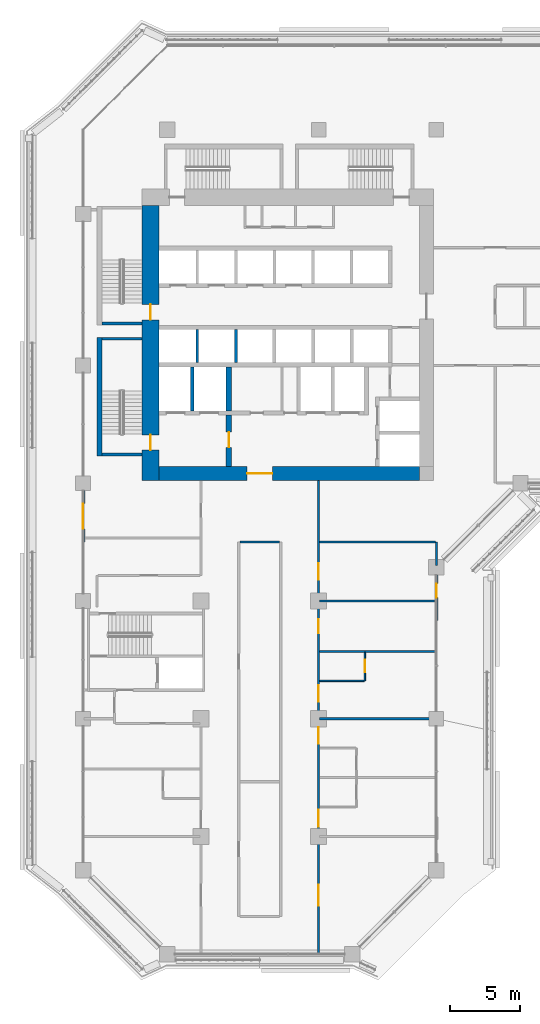
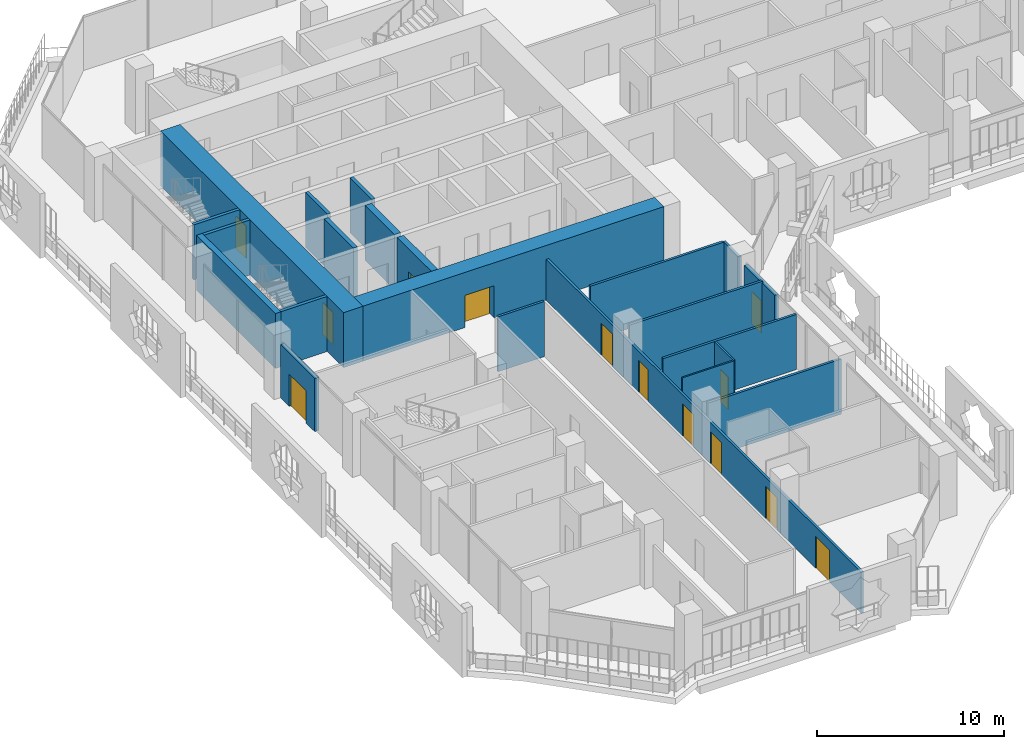
# One storey, part 13 of 25: 22 walls, 13 doors, 13 openings.
"""IFC4 building model written with IfcOpenShell, lengths in metres."""

import ifcopenshell
import ifcopenshell.guid

model = None  # the IFC model being written
_history = None  # IfcOwnerHistory: only IFC2X3 demands one
_inside = {}  # id of a spatial element -> (the spatial element, [elements in it])
_under = {}  # id of a project, library or spatial element -> (it, [spatial elements below it])
_declared = {}  # id of a project -> (the project, [libraries it declares])
_typed = {}  # id of a type object -> (the type object, [elements of that type])
_made_of = {}  # id of a material, layer set ... -> (it, [elements and type objects made of it])


def new_model(schema):
    """Start an empty IFC model of exactly this schema.

    Asked for "IFC4X3", IfcOpenShell would pick the latest addendum, in which some entities
    have other attributes; the version numbers below select the first issue.
    IFC2X3 requires an IfcOwnerHistory on every rooted entity: one is made here for all.
    """
    global model, _history
    if schema == "IFC4X3":
        model = ifcopenshell.file(schema_version=(4, 3, 0, 0))
    else:
        model = ifcopenshell.file(schema=schema)
    _inside.clear()
    _under.clear()
    _declared.clear()
    _typed.clear()
    _made_of.clear()
    _history = None
    if model.schema == "IFC2X3":
        org = make("IfcOrganization", Name="unknown")
        user = make(
            "IfcPersonAndOrganization",
            ThePerson=make("IfcPerson", FamilyName="unknown"),
            TheOrganization=org,
        )
        app = make(
            "IfcApplication",
            ApplicationDeveloper=org,
            Version="unknown",
            ApplicationFullName="unknown",
            ApplicationIdentifier="unknown",
        )
        _history = make(
            "IfcOwnerHistory",
            OwningUser=user,
            OwningApplication=app,
            ChangeAction="ADDED",
            CreationDate=0,
        )
    return model


def make(cls, **values):
    """One entity of the class cls with the attributes given. An attribute that is None is left unset."""
    return model.create_entity(
        cls, **{name: value for name, value in values.items() if value is not None}
    )


def rooted(cls, **values):
    """An entity with a GlobalId (a new one), such as an element, a storey or a relation."""
    return make(cls, GlobalId=ifcopenshell.guid.new(), OwnerHistory=_history, **values)


def si_unit(unit_type, name, prefix=None):
    """IfcSIUnit, for example si_unit("LENGTHUNIT", "METRE", prefix="MILLI")."""
    return make("IfcSIUnit", UnitType=unit_type, Prefix=prefix, Name=name)


def assignment(units):
    """IfcUnitAssignment: the units of a project."""
    return None if units is None else make("IfcUnitAssignment", Units=units)


def point(xyz):
    """IfcCartesianPoint."""
    return None if xyz is None else make("IfcCartesianPoint", Coordinates=xyz)


def direction(xyz):
    """IfcDirection."""
    return None if xyz is None else make("IfcDirection", DirectionRatios=xyz)


def frame(location, z_axis=None, x_axis=None):
    """IfcAxis2Placement3D, a coordinate frame: its origin and axes. An axis left out is left unset."""
    return make(
        "IfcAxis2Placement3D",
        Location=point(location),
        Axis=direction(z_axis),
        RefDirection=direction(x_axis),
    )


def frame_2d(location, x_axis=None):
    """IfcAxis2Placement2D, a coordinate frame in the plane: its origin and x axis."""
    return make(
        "IfcAxis2Placement2D", Location=point(location), RefDirection=direction(x_axis)
    )


def origin():
    """The frame at (0, 0, 0) with its axes left unset."""
    return frame((0.0, 0.0, 0.0))


def place(relative_to, where):
    """IfcLocalPlacement: puts the frame where relative to a parent placement (None: the world)."""
    return make(
        "IfcLocalPlacement", PlacementRelTo=relative_to, RelativePlacement=where
    )


def context(
    kind, dimensions, precision=None, world=None, true_north=None, identifier=None
):
    """IfcGeometricRepresentationContext, for example the 3D "Model" context."""
    return make(
        "IfcGeometricRepresentationContext",
        ContextIdentifier=identifier,
        ContextType=kind,
        CoordinateSpaceDimension=dimensions,
        Precision=precision,
        WorldCoordinateSystem=world,
        TrueNorth=true_north,
    )


def subcontext(parent, identifier, kind, view, scale=None):
    """IfcGeometricRepresentationSubContext, for example "Body" below "Model"."""
    return make(
        "IfcGeometricRepresentationSubContext",
        ContextIdentifier=identifier,
        ContextType=kind,
        ParentContext=parent,
        TargetScale=scale,
        TargetView=view,
    )


def project(units=None, contexts=None):
    """IfcProject with its units and contexts."""
    return rooted(
        "IfcProject",
        Name="project",
        RepresentationContexts=contexts,
        UnitsInContext=assignment(units),
    )


def spatial(cls, under=None, at=None, **own):
    """A site, building, storey or space (cls), placed at a placement, below another one or the project."""
    s = rooted(cls, ObjectPlacement=at, **own)
    if under is not None:
        _under.setdefault(under.id(), (under, []))[1].append(s)
    return s


def profile(cls, at=None, kind="AREA", **sizes):
    """A parametric profile (cls). Its sizes go by their IFC names, for example OverallWidth=200.0."""
    return make(cls, ProfileType=kind, Position=at, **sizes)


def rectangle(**sizes):
    """IfcRectangleProfileDef."""
    return profile("IfcRectangleProfileDef", **sizes)


def extrude(swept, where, along, depth):
    """IfcExtrudedAreaSolid: the profile swept, set in the frame where, extruded along a direction by depth."""
    return make(
        "IfcExtrudedAreaSolid",
        SweptArea=swept,
        Position=where,
        ExtrudedDirection=direction(along),
        Depth=depth,
    )


def shape(context_of_items, identifier, shape_type, items):
    """IfcShapeRepresentation: the items that make up one representation, for example the "Body"."""
    return make(
        "IfcShapeRepresentation",
        ContextOfItems=context_of_items,
        RepresentationIdentifier=identifier,
        RepresentationType=shape_type,
        Items=items,
    )


def material(Name=None, Category=None):
    """IfcMaterial."""
    return make("IfcMaterial", Name=Name, Category=Category)


def layer(
    of_material, thickness, ventilated=None, Name=None, Category=None, Priority=None
):
    """IfcMaterialLayer: one layer of a wall or slab, of a material (None: an air gap)."""
    return make(
        "IfcMaterialLayer",
        Material=of_material,
        LayerThickness=thickness,
        IsVentilated=ventilated,
        Name=Name,
        Category=Category,
        Priority=Priority,
    )


def layer_set(layers, Name=None):
    """IfcMaterialLayerSet."""
    return make("IfcMaterialLayerSet", MaterialLayers=layers, LayerSetName=Name)


def made_of(thing, what):
    """Note that an element or type object is made of a material, layer set ...; save() writes the relation."""
    if what is not None:
        _made_of.setdefault(what.id(), (what, []))[1].append(thing)
    return thing


def type_object(cls, material=None, **own):
    """A type object (cls), such as IfcWallType, which elements share."""
    return made_of(rooted(cls, **own), material)


def element(
    cls,
    number,
    at=None,
    inside=None,
    cuts=None,
    type_object=None,
    material=None,
    context=None,
    identifier="Body",
    shape_type=None,
    held_by="IfcProductDefinitionShape",
    body=None,
    shapes=None,
    **own,
):
    """One element of the class cls, such as IfcWall. Its Tag is "e" and its number.

    at: its placement. inside: the storey or other place that contains it. cuts: it is an
    opening in that element (IfcRelVoidsElement). A single representation is given by context,
    identifier, shape_type and body (its items); several are given by shapes. held_by: the class
    of the entity that holds the representations. save() writes the other relations.
    """
    e = rooted(cls, Tag="e%d" % number, ObjectPlacement=at, **own)
    if body is not None:
        shapes = [shape(context, identifier, shape_type, body)]
    if shapes is not None:
        e.Representation = make(held_by, Representations=shapes)
    if inside is not None:
        _inside.setdefault(inside.id(), (inside, []))[1].append(e)
    if cuts is not None:
        rooted(
            "IfcRelVoidsElement", RelatingBuildingElement=cuts, RelatedOpeningElement=e
        )
    if type_object is not None:
        _typed.setdefault(type_object.id(), (type_object, []))[1].append(e)
    return made_of(e, material)


def fill(opening, filler):
    """IfcRelFillsElement: the door or window that sits in an opening."""
    return rooted(
        "IfcRelFillsElement",
        RelatingOpeningElement=opening,
        RelatedBuildingElement=filler,
    )


def aggregate(whole, parts):
    """IfcRelAggregates: a whole, such as a stair, and the parts it consists of."""
    return rooted("IfcRelAggregates", RelatingObject=whole, RelatedObjects=parts)


def save(model, path):
    """Write the relations noted so far, then the file.

    IfcRelAggregates (storeys below a building ...), IfcRelContainedInSpatialStructure (elements
    in a storey), IfcRelDefinesByType, IfcRelAssociatesMaterial and IfcRelDeclares: one each for
    every whole, place, type object, material and project.
    """
    for whole, parts in _under.values():
        aggregate(whole, parts)
    for where, things in _inside.values():
        rooted(
            "IfcRelContainedInSpatialStructure",
            RelatedElements=things,
            RelatingStructure=where,
        )
    for kind, things in _typed.values():
        rooted("IfcRelDefinesByType", RelatedObjects=things, RelatingType=kind)
    for what, things in _made_of.values():
        rooted("IfcRelAssociatesMaterial", RelatedObjects=things, RelatingMaterial=what)
    for by, libraries in _declared.values():
        rooted("IfcRelDeclares", RelatingContext=by, RelatedDefinitions=libraries)
    model.write(path)


model = new_model("IFC4")

# Units and contexts
model_context = context("Model", 3, precision=1e-05, world=origin(), true_north=direction((0.0, 1.0)))
body_context = subcontext(model_context, "Body", "Model", "MODEL_VIEW")
ifc_project = project(units=[si_unit("LENGTHUNIT", "METRE"), si_unit("AREAUNIT", "SQUARE_METRE"), si_unit("VOLUMEUNIT", "CUBIC_METRE"), si_unit("PLANEANGLEUNIT", "RADIAN"), si_unit("MASSUNIT", "GRAM", prefix="KILO")], contexts=[model_context])

# Site, building, storey
site_placement = place(None, origin())
site = spatial("IfcSite", under=ifc_project, at=site_placement, CompositionType="ELEMENT")
building_placement = place(site_placement, origin())
building = spatial("IfcBuilding", under=site, at=building_placement, Name="Kawkab Arch Medical Tower", CompositionType="ELEMENT")
storey_placement = place(building_placement, frame((0.0, 0.0, 136.60009765625)))
storey = spatial("IfcBuildingStorey", under=building, at=storey_placement, Name="L31", CompositionType="ELEMENT", Elevation=136.60009765625)

# Wall, opening, door
ifc_material_1 = material(Name="Concrete C60/75", Category="concrete")
ifc_layer_1 = layer(ifc_material_1, 1.0)
ifc_layer_set_1 = layer_set([ifc_layer_1], Name="Concrete C60/75")
wall_type_1 = type_object("IfcWallType", Name="Core ring wall 1000 C60/75", PredefinedType="SHEAR", material=ifc_layer_set_1)
wall_1_placement = place(storey_placement, frame((5.39990234375, -24.5, 0.0), z_axis=(0.0, 0.0, 1.0), x_axis=(1.0, 0.0, 0.0)))
wall_1 = element("IfcWall", 1, at=wall_1_placement, inside=storey, type_object=wall_type_1, Name="L31 core wall", PredefinedType="SHEAR", context=body_context, shape_type="SweptSolid", body=[
    extrude(rectangle(XDim=18.60009765625, YDim=1.0, at=frame_2d((9.300048828125, 0.0))), origin(), (0.0, 0.0, 1.0), 3.599853515625),
])
opening_1_placement = place(wall_1_placement, frame((6.300048828125, 0.0, 0.0)))
opening_1 = element("IfcOpeningElement", 2, at=opening_1_placement, cuts=wall_1, Name="Opening PD", PredefinedType="OPENING", context=body_context, shape_type="SweptSolid", body=[
    extrude(rectangle(XDim=1.800048828125, YDim=2.10009765625, at=frame_2d((0.89990234375, 1.050048828125))), frame((0.0, 0.510009765625, 0.0), z_axis=(0.0, -1.0, 0.0), x_axis=(1.0, 0.0, 0.0)), (0.0, 0.0, 1.0), 1.02001953125),
])
ifc_material_2 = material(Name="Hollow metal fire door leaf")
door_type_1 = type_object("IfcDoorType", Name="Core entrance doors 1800", OperationType="DOUBLE_DOOR_SINGLE_SWING", PredefinedType="DOOR", material=ifc_material_2)
door_1_placement = place(opening_1_placement, origin())
door_1 = element("IfcDoor", 3, at=door_1_placement, inside=storey, type_object=door_type_1, Name="L31 South entrance doors", OperationType="DOUBLE_DOOR_SINGLE_SWING", OverallHeight=2.10009765625, OverallWidth=1.800048828125, PredefinedType="DOOR", context=body_context, shape_type="SweptSolid", body=[
    extrude(rectangle(XDim=1.800048828125, YDim=2.10009765625, at=frame_2d((0.89990234375, 1.050048828125))), frame((0.0, 0.02490234375, 0.0), z_axis=(0.0, -1.0, 0.0), x_axis=(1.0, 0.0, 0.0)), (0.0, 0.0, 1.0), 0.050048828125),
])
fill(opening_1, door_1)

# Wall, openings, doors
ifc_material_3 = material(Name="Concrete C60/75", Category="concrete")
ifc_layer_2 = layer(ifc_material_3, 1.199951171875)
ifc_layer_set_2 = layer_set([ifc_layer_2], Name="Concrete C60/75")
wall_type_2 = type_object("IfcWallType", Name="Core ring wall 1200 C60/75", PredefinedType="SHEAR", material=ifc_layer_set_2)
wall_2_placement = place(storey_placement, frame((4.800048828125, -25.0, 0.0), z_axis=(0.0, 0.0, 1.0), x_axis=(0.0, 1.0, 0.0)))
wall_2 = element("IfcWall", 4, at=wall_2_placement, inside=storey, type_object=wall_type_2, Name="L31 core wall", PredefinedType="SHEAR", context=body_context, shape_type="SweptSolid", body=[
    extrude(rectangle(XDim=19.60009765625, YDim=1.199951171875, at=frame_2d((9.800048828125, 0.0))), origin(), (0.0, 0.0, 1.0), 3.599853515625),
])
opening_2_placement = place(wall_2_placement, frame((11.449951171875, 0.0, 0.0)))
opening_2 = element("IfcOpeningElement", 5, at=opening_2_placement, cuts=wall_2, Name="Opening SD", PredefinedType="OPENING", context=body_context, shape_type="SweptSolid", body=[
    extrude(rectangle(XDim=1.10009765625, YDim=2.10009765625, at=frame_2d((0.550048828125, 1.050048828125))), frame((0.0, 0.60986328125, 0.0), z_axis=(0.0, -1.0, 0.0), x_axis=(1.0, 0.0, 0.0)), (0.0, 0.0, 1.0), 1.219970703125),
])
opening_3_placement = place(wall_2_placement, frame((2.14990234375, 0.0, 0.0)))
opening_3 = element("IfcOpeningElement", 6, at=opening_3_placement, cuts=wall_2, Name="Opening SD", PredefinedType="OPENING", context=body_context, shape_type="SweptSolid", body=[
    extrude(rectangle(XDim=1.10009765625, YDim=2.10009765625, at=frame_2d((0.550048828125, 1.050048828125))), frame((0.0, 0.60986328125, 0.0), z_axis=(0.0, -1.0, 0.0), x_axis=(1.0, 0.0, 0.0)), (0.0, 0.0, 1.0), 1.219970703125),
])
ifc_material_4 = material(Name="Hollow metal fire door leaf")
door_type_2 = type_object("IfcDoorType", Name="Exit stair door 1100", OperationType="SINGLE_SWING_LEFT", PredefinedType="DOOR", material=ifc_material_4)
door_2_placement = place(opening_2_placement, origin())
door_2 = element("IfcDoor", 7, at=door_2_placement, inside=storey, type_object=door_type_2, Name="L31 Exit stair ST1 door", OperationType="SINGLE_SWING_LEFT", OverallHeight=2.10009765625, OverallWidth=1.10009765625, PredefinedType="DOOR", context=body_context, shape_type="SweptSolid", body=[
    extrude(rectangle(XDim=1.10009765625, YDim=2.10009765625, at=frame_2d((0.550048828125, 1.050048828125))), frame((0.0, 0.02490234375, 0.0), z_axis=(0.0, -1.0, 0.0), x_axis=(1.0, 0.0, 0.0)), (0.0, 0.0, 1.0), 0.050048828125),
])
fill(opening_2, door_2)
door_3_placement = place(opening_3_placement, origin())
door_3 = element("IfcDoor", 8, at=door_3_placement, inside=storey, type_object=door_type_2, Name="L31 Exit stair ST2 door", OperationType="SINGLE_SWING_LEFT", OverallHeight=2.10009765625, OverallWidth=1.10009765625, PredefinedType="DOOR", context=body_context, shape_type="SweptSolid", body=[
    extrude(rectangle(XDim=1.10009765625, YDim=2.10009765625, at=frame_2d((0.550048828125, 1.050048828125))), frame((0.0, 0.02490234375, 0.0), z_axis=(0.0, -1.0, 0.0), x_axis=(1.0, 0.0, 0.0)), (0.0, 0.0, 1.0), 0.050048828125),
])
fill(opening_3, door_3)

# Wall
ifc_material_5 = material(Name="Concrete C60/75", Category="concrete")
ifc_layer_3 = layer(ifc_material_5, 0.25)
ifc_layer_set_3 = layer_set([ifc_layer_3], Name="Concrete C60/75")
wall_type_3 = type_object("IfcWallType", Name="Core shear wall 250 C60/75", PredefinedType="SHEAR", material=ifc_layer_set_3)
wall_3_placement = place(storey_placement, frame((7.800048828125, -20.050048828125, 0.0), z_axis=(0.0, 0.0, 1.0), x_axis=(0.0, 1.0, 0.0)))
element("IfcWall", 9, at=wall_3_placement, inside=storey, type_object=wall_type_3, Name="L31 core shear wall", PredefinedType="SHEAR", context=body_context, shape_type="SweptSolid", body=[
    extrude(rectangle(XDim=3.150146484375, YDim=0.25, at=frame_2d((1.5751953125, 0.0))), origin(), (0.0, 0.0, 1.0), 3.599853515625),
])

# Wall, opening, door
ifc_material_6 = material(Name="Concrete C60/75", Category="concrete")
ifc_layer_4 = layer(ifc_material_6, 0.39990234375)
ifc_layer_set_4 = layer_set([ifc_layer_4], Name="Concrete C60/75")
wall_type_4 = type_object("IfcWallType", Name="Core shear wall 400 C60/75", PredefinedType="SHEAR", material=ifc_layer_set_4)
wall_4_placement = place(storey_placement, frame((10.39990234375, -24.0, 0.0), z_axis=(0.0, 0.0, 1.0), x_axis=(0.0, 1.0, 0.0)))
wall_4 = element("IfcWall", 10, at=wall_4_placement, inside=storey, type_object=wall_type_4, Name="L31 core shear wall", PredefinedType="SHEAR", context=body_context, shape_type="SweptSolid", body=[
    extrude(rectangle(XDim=3.64990234375, YDim=0.39990234375, at=frame_2d((1.824951171875, 0.0))), origin(), (0.0, 0.0, 1.0), 3.599853515625),
])
opening_4_placement = place(wall_4_placement, frame((1.35009765625, 0.0, 0.0)))
opening_4 = element("IfcOpeningElement", 11, at=opening_4_placement, cuts=wall_4, Name="Opening FD", PredefinedType="OPENING", context=body_context, shape_type="SweptSolid", body=[
    extrude(rectangle(XDim=1.10009765625, YDim=2.10009765625, at=frame_2d((0.550048828125, 1.050048828125))), frame((0.0, 0.2099609375, 0.0), z_axis=(0.0, -1.0, 0.0), x_axis=(1.0, 0.0, 0.0)), (0.0, 0.0, 1.0), 0.419921875),
])
ifc_material_7 = material(Name="Hollow metal fire door leaf")
door_type_3 = type_object("IfcDoorType", Name="Firefighting lobby door 1100", OperationType="SINGLE_SWING_LEFT", PredefinedType="DOOR", material=ifc_material_7)
door_4_placement = place(opening_4_placement, origin())
door_4 = element("IfcDoor", 12, at=door_4_placement, inside=storey, type_object=door_type_3, Name="L31 Firefighting lobby door", OperationType="SINGLE_SWING_LEFT", OverallHeight=2.10009765625, OverallWidth=1.10009765625, PredefinedType="DOOR", context=body_context, shape_type="SweptSolid", body=[
    extrude(rectangle(XDim=1.10009765625, YDim=2.10009765625, at=frame_2d((0.550048828125, 1.050048828125))), frame((0.0, 0.02490234375, 0.0), z_axis=(0.0, -1.0, 0.0), x_axis=(1.0, 0.0, 0.0)), (0.0, 0.0, 1.0), 0.050048828125),
])
fill(opening_4, door_4)

# Wall
wall_5_placement = place(storey_placement, frame((10.39990234375, -20.050048828125, 0.0), z_axis=(0.0, 0.0, 1.0), x_axis=(0.0, 1.0, 0.0)))
element("IfcWall", 13, at=wall_5_placement, inside=storey, type_object=wall_type_4, Name="L31 core shear wall", PredefinedType="SHEAR", context=body_context, shape_type="SweptSolid", body=[
    extrude(rectangle(XDim=3.150146484375, YDim=0.39990234375, at=frame_2d((1.5751953125, 0.0))), origin(), (0.0, 0.0, 1.0), 3.599853515625),
])

# Wall, opening, door
ifc_material_8 = material(Name="Bronze clad insulated wall panel")
ifc_layer_5 = layer(ifc_material_8, 0.25)
ifc_layer_set_5 = layer_set([ifc_layer_5], Name="Bronze clad insulated wall panel")
wall_type_5 = type_object("IfcWallType", Name="External wall bay 250", PredefinedType="SOLIDWALL", material=ifc_layer_set_5)
wall_6_placement = place(storey_placement, frame((0.0, -25.72509765625, 0.0), z_axis=(0.0, 0.0, 1.0), x_axis=(0.0, -1.0, 0.0)))
wall_6 = element("IfcWall", 14, at=wall_6_placement, inside=storey, type_object=wall_type_5, Name="External wall bay L31.R01.4.1", PredefinedType="SOLIDWALL", context=body_context, shape_type="SweptSolid", body=[
    extrude(rectangle(XDim=3.6748046875, YDim=0.25, at=frame_2d((1.83740234375, 0.0))), origin(), (0.0, 0.0, 1.0), 3.47998046875),
])
opening_5_placement = place(wall_6_placement, frame((0.9375, 0.0, 0.0)))
opening_5 = element("IfcOpeningElement", 15, at=opening_5_placement, cuts=wall_6, Name="Opening W26-701", PredefinedType="OPENING", context=body_context, shape_type="SweptSolid", body=[
    extrude(rectangle(XDim=1.800048828125, YDim=2.10009765625, at=frame_2d((0.89990234375, 1.050048828125))), frame((0.0, 0.135009765625, 0.0), z_axis=(0.0, -1.0, 0.0), x_axis=(1.0, 0.0, 0.0)), (0.0, 0.0, 1.0), 0.27001953125),
])
ifc_material_9 = material(Name="Bronze anodised aluminium door with tinted glass", Category="aluminium")
door_type_4 = type_object("IfcDoorType", Name="Double external door 1800 x 2100", OperationType="DOUBLE_DOOR_SINGLE_SWING", PredefinedType="DOOR", material=ifc_material_9)
door_5_placement = place(opening_5_placement, origin())
door_5 = element("IfcDoor", 16, at=door_5_placement, inside=storey, type_object=door_type_4, Name="External door L31.R01.4.1", OperationType="DOUBLE_DOOR_SINGLE_SWING", OverallHeight=2.10009765625, OverallWidth=1.800048828125, PredefinedType="DOOR", context=body_context, shape_type="SweptSolid", body=[
    extrude(rectangle(XDim=1.800048828125, YDim=2.10009765625, at=frame_2d((0.89990234375, 1.050048828125))), frame((0.0, 0.02490234375, 0.0), z_axis=(0.0, -1.0, 0.0), x_axis=(1.0, 0.0, 0.0)), (0.0, 0.0, 1.0), 0.050048828125),
])
fill(opening_5, door_5)

wall_7_placement = place(storey_placement, frame((25.199951171875, -34.99169921875, 0.0), z_axis=(0.0, 0.0, 1.0), x_axis=(0.0, 1.0, 0.0)))
wall_7 = element("IfcWall", 17, at=wall_7_placement, inside=storey, type_object=wall_type_5, Name="External wall bay L31.R05.2.3", PredefinedType="SOLIDWALL", context=body_context, shape_type="SweptSolid", body=[
    extrude(rectangle(XDim=3.24169921875, YDim=0.25, at=frame_2d((1.620849609375, 0.0))), origin(), (0.0, 0.0, 1.0), 3.47998046875),
])
opening_6_placement = place(wall_7_placement, frame((1.620849609375, 0.0, 0.0)))
opening_6 = element("IfcOpeningElement", 18, at=opening_6_placement, cuts=wall_7, Name="Opening W26-702", PredefinedType="OPENING", context=body_context, shape_type="SweptSolid", body=[
    extrude(rectangle(XDim=1.0, YDim=2.10009765625, at=frame_2d((0.5, 1.050048828125))), frame((0.0, 0.135009765625, 0.0), z_axis=(0.0, -1.0, 0.0), x_axis=(1.0, 0.0, 0.0)), (0.0, 0.0, 1.0), 0.27001953125),
])
ifc_material_10 = material(Name="Bronze anodised aluminium door with tinted glass", Category="aluminium")
door_type_5 = type_object("IfcDoorType", Name="Single external door 1000 x 2100", OperationType="SINGLE_SWING_LEFT", PredefinedType="DOOR", material=ifc_material_10)
door_6_placement = place(opening_6_placement, origin())
door_6 = element("IfcDoor", 19, at=door_6_placement, inside=storey, type_object=door_type_5, Name="External door L31.R05.2.3", OperationType="SINGLE_SWING_LEFT", OverallHeight=2.10009765625, OverallWidth=1.0, PredefinedType="DOOR", context=body_context, shape_type="SweptSolid", body=[
    extrude(rectangle(XDim=1.0, YDim=2.10009765625, at=frame_2d((0.5, 1.050048828125))), frame((0.0, 0.02490234375, 0.0), z_axis=(0.0, -1.0, 0.0), x_axis=(1.0, 0.0, 0.0)), (0.0, 0.0, 1.0), 0.050048828125),
])
fill(opening_6, door_6)

# Walls
ifc_material_11 = material(Name="Dense concrete blockwork", Category="masonry")
ifc_layer_6 = layer(ifc_material_11, 0.199951171875)
ifc_layer_set_6 = layer_set([ifc_layer_6], Name="Dense concrete blockwork")
wall_type_6 = type_object("IfcWallType", Name="Lift shaft partition 200", PredefinedType="PARTITIONING", material=ifc_layer_set_6)
for number, where, z_axis, x_axis, name in (
    (20, (8.14990234375, -16.60009765625, 0.0), (0.0, 0.0, 1.0), (0.0, 1.0, 0.0), "L31 lift shaft partition"),
    (21, (10.89990234375, -16.60009765625, 0.0), (0.0, 0.0, 1.0), (0.0, 1.0, 0.0), "L31 lift shaft partition"),
):
    element("IfcWall", number, at=place(storey_placement, frame(where, z_axis=z_axis, x_axis=x_axis)), inside=storey, type_object=wall_type_6, Name=name, PredefinedType="PARTITIONING", context=body_context, shape_type="SweptSolid", body=[
        extrude(rectangle(XDim=2.35009765625, YDim=0.199951171875, at=frame_2d((1.175048828125, 0.0))), origin(), (0.0, 0.0, 1.0), 3.599853515625),
    ])
ifc_material_12 = material(Name="Gypsum board partition on steel studs", Category="steel")
ifc_layer_7 = layer(ifc_material_12, 0.10009765625)
ifc_layer_set_7 = layer_set([ifc_layer_7], Name="Gypsum board partition on steel studs")
wall_type_7 = type_object("IfcWallType", Name="Partition 100", PredefinedType="PARTITIONING", material=ifc_layer_set_7)
wall_8_placement = place(storey_placement, frame((16.875, -39.300048828125, 0.0), z_axis=(0.0, 0.0, 1.0), x_axis=(1.0, 0.0, 0.0)))
element("IfcWall", 22, at=wall_8_placement, inside=storey, type_object=wall_type_7, Name="Partition 100 w004", PredefinedType="PARTITIONING", context=body_context, shape_type="SweptSolid", body=[
    extrude(rectangle(XDim=3.175048828125, YDim=0.10009765625, at=frame_2d((1.58740234375, 0.0))), origin(), (0.0, 0.0, 1.0), 3.599853515625),
])

# Wall, opening, door
wall_9_placement = place(storey_placement, frame((20.10009765625, -39.300048828125, 0.0), z_axis=(0.0, 0.0, 1.0), x_axis=(0.0, 1.0, 0.0)))
wall_9 = element("IfcWall", 23, at=wall_9_placement, inside=storey, type_object=wall_type_7, Name="Partition 100 w015", PredefinedType="PARTITIONING", context=body_context, shape_type="SweptSolid", body=[
    extrude(rectangle(XDim=2.025146484375, YDim=0.10009765625, at=frame_2d((1.0126953125, 0.0))), origin(), (0.0, 0.0, 1.0), 3.599853515625),
])
opening_7_placement = place(wall_9_placement, frame((0.60009765625, 0.0, 0.0)))
opening_7 = element("IfcOpeningElement", 24, at=opening_7_placement, cuts=wall_9, Name="Opening W26-022", PredefinedType="OPENING", context=body_context, shape_type="SweptSolid", body=[
    extrude(rectangle(XDim=0.89990234375, YDim=2.10009765625, at=frame_2d((0.449951171875, 1.050048828125))), frame((0.0, 0.06005859375, 0.0), z_axis=(0.0, -1.0, 0.0), x_axis=(1.0, 0.0, 0.0)), (0.0, 0.0, 1.0), 0.1201171875),
])
ifc_material_13 = material(Name="Timber door leaf", Category="wood")
door_type_6 = type_object("IfcDoorType", Name="Single door 900x2100", OperationType="NOTDEFINED", PredefinedType="DOOR", material=ifc_material_13)
door_7_placement = place(opening_7_placement, origin())
door_7 = element("IfcDoor", 25, at=door_7_placement, inside=storey, type_object=door_type_6, Name="Door W26-022", OperationType="SINGLE_SWING_RIGHT", OverallHeight=2.10009765625, OverallWidth=0.89990234375, PredefinedType="DOOR", context=body_context, shape_type="SweptSolid", body=[
    extrude(rectangle(XDim=0.89990234375, YDim=2.10009765625, at=frame_2d((0.449951171875, 1.050048828125))), frame((0.0, 0.02490234375, 0.0), z_axis=(0.0, -1.0, 0.0), x_axis=(1.0, 0.0, 0.0)), (0.0, 0.0, 1.0), 0.050048828125),
])
fill(opening_7, door_7)

# Walls
ifc_material_14 = material(Name="Gypsum board partition on steel studs, mineral wool", Category="steel")
ifc_layer_8 = layer(ifc_material_14, 0.14990234375)
ifc_layer_set_8 = layer_set([ifc_layer_8], Name="Gypsum board partition on steel studs, mineral wool")
wall_type_8 = type_object("IfcWallType", Name="Partition 150", PredefinedType="PARTITIONING", material=ifc_layer_set_8)
for number, where, z_axis, x_axis, name in (
    (26, (16.875, -42.0, 0.0), (0.0, 0.0, 1.0), (1.0, 0.0, 0.0), "Partition 150 w035"),
    (27, (16.875, -37.199951171875, 0.0), (0.0, 0.0, 1.0), (1.0, 0.0, 0.0), "Partition 150 w037"),
    (28, (16.875, -33.60009765625, 0.0), (0.0, 0.0, 1.0), (1.0, 0.0, 0.0), "Partition 150 w038"),
):
    element("IfcWall", number, at=place(storey_placement, frame(where, z_axis=z_axis, x_axis=x_axis)), inside=storey, type_object=wall_type_8, Name=name, PredefinedType="PARTITIONING", context=body_context, shape_type="SweptSolid", body=[
        extrude(rectangle(XDim=8.2451171875, YDim=0.14990234375, at=frame_2d((4.12255859375, 0.0))), origin(), (0.0, 0.0, 1.0), 3.599853515625),
    ])
wall_10_placement = place(storey_placement, frame((11.175048828125, -29.39990234375, 0.0), z_axis=(0.0, 0.0, 1.0), x_axis=(1.0, 0.0, 0.0)))
element("IfcWall", 29, at=wall_10_placement, inside=storey, type_object=wall_type_8, Name="Partition 150 w040", PredefinedType="PARTITIONING", context=body_context, shape_type="SweptSolid", body=[
    extrude(rectangle(XDim=2.849853515625, YDim=0.14990234375, at=frame_2d((1.4248046875, 0.0))), origin(), (0.0, 0.0, 1.0), 3.599853515625),
])
wall_11_placement = place(storey_placement, frame((16.875, -29.39990234375, 0.0), z_axis=(0.0, 0.0, 1.0), x_axis=(1.0, 0.0, 0.0)))
element("IfcWall", 30, at=wall_11_placement, inside=storey, type_object=wall_type_8, Name="Partition 150 w041", PredefinedType="PARTITIONING", context=body_context, shape_type="SweptSolid", body=[
    extrude(rectangle(XDim=8.25, YDim=0.14990234375, at=frame_2d((4.125, 0.0))), origin(), (0.0, 0.0, 1.0), 3.599853515625),
])

# Wall, openings, doors
wall_12_placement = place(storey_placement, frame((16.800048828125, -58.719970703125, 0.0), z_axis=(0.0, 0.0, 1.0), x_axis=(0.0, 1.0, 0.0)))
wall_12 = element("IfcWall", 31, at=wall_12_placement, inside=storey, type_object=wall_type_8, Name="Partition 150 w062", PredefinedType="PARTITIONING", context=body_context, shape_type="SweptSolid", body=[
    extrude(rectangle(XDim=33.719970703125, YDim=0.14990234375, at=frame_2d((16.85986328125, 0.0))), origin(), (0.0, 0.0, 1.0), 2.699951171875),
])
opening_8_placement = place(wall_12_placement, frame((26.6201171875, 0.0, 0.0)))
opening_8 = element("IfcOpeningElement", 32, at=opening_8_placement, cuts=wall_12, Name="Opening W26-054", PredefinedType="OPENING", context=body_context, shape_type="SweptSolid", body=[
    extrude(rectangle(XDim=1.199951171875, YDim=2.10009765625, at=frame_2d((0.60009765625, 1.050048828125))), frame((0.0, 0.0849609375, 0.0), z_axis=(0.0, -1.0, 0.0), x_axis=(1.0, 0.0, 0.0)), (0.0, 0.0, 1.0), 0.169921875),
])
opening_9_placement = place(wall_12_placement, frame((22.820068359375, 0.0, 0.0)))
opening_9 = element("IfcOpeningElement", 33, at=opening_9_placement, cuts=wall_12, Name="Opening W26-035", PredefinedType="OPENING", context=body_context, shape_type="SweptSolid", body=[
    extrude(rectangle(XDim=1.0, YDim=2.10009765625, at=frame_2d((0.5, 1.050048828125))), frame((0.0, 0.0849609375, 0.0), z_axis=(0.0, -1.0, 0.0), x_axis=(1.0, 0.0, 0.0)), (0.0, 0.0, 1.0), 0.169921875),
])
opening_10_placement = place(wall_12_placement, frame((17.919921875, 0.0, 0.0)))
opening_10 = element("IfcOpeningElement", 34, at=opening_10_placement, cuts=wall_12, Name="Opening W26-055", PredefinedType="OPENING", context=body_context, shape_type="SweptSolid", body=[
    extrude(rectangle(XDim=1.199951171875, YDim=2.10009765625, at=frame_2d((0.60009765625, 1.050048828125))), frame((0.0, 0.0849609375, 0.0), z_axis=(0.0, -1.0, 0.0), x_axis=(1.0, 0.0, 0.0)), (0.0, 0.0, 1.0), 0.169921875),
])
opening_11_placement = place(wall_12_placement, frame((14.919921875, 0.0, 0.0)))
opening_11 = element("IfcOpeningElement", 35, at=opening_11_placement, cuts=wall_12, Name="Opening W26-056", PredefinedType="OPENING", context=body_context, shape_type="SweptSolid", body=[
    extrude(rectangle(XDim=1.199951171875, YDim=2.10009765625, at=frame_2d((0.60009765625, 1.050048828125))), frame((0.0, 0.0849609375, 0.0), z_axis=(0.0, -1.0, 0.0), x_axis=(1.0, 0.0, 0.0)), (0.0, 0.0, 1.0), 0.169921875),
])
opening_12_placement = place(wall_12_placement, frame((9.02001953125, 0.0, 0.0)))
opening_12 = element("IfcOpeningElement", 36, at=opening_12_placement, cuts=wall_12, Name="Opening W26-057", PredefinedType="OPENING", context=body_context, shape_type="SweptSolid", body=[
    extrude(rectangle(XDim=1.199951171875, YDim=2.10009765625, at=frame_2d((0.60009765625, 1.050048828125))), frame((0.0, 0.0849609375, 0.0), z_axis=(0.0, -1.0, 0.0), x_axis=(1.0, 0.0, 0.0)), (0.0, 0.0, 1.0), 0.169921875),
])
opening_13_placement = place(wall_12_placement, frame((3.3701171875, 0.0, 0.0)))
opening_13 = element("IfcOpeningElement", 37, at=opening_13_placement, cuts=wall_12, Name="Opening W26-004", PredefinedType="OPENING", context=body_context, shape_type="SweptSolid", body=[
    extrude(rectangle(XDim=1.5, YDim=2.10009765625, at=frame_2d((0.75, 1.050048828125))), frame((0.0, 0.0849609375, 0.0), z_axis=(0.0, -1.0, 0.0), x_axis=(1.0, 0.0, 0.0)), (0.0, 0.0, 1.0), 0.169921875),
])
ifc_material_15 = material(Name="Hollow metal door leaf")
door_type_7 = type_object("IfcDoorType", Name="Double door 1500x2100 FD30S", OperationType="NOTDEFINED", PredefinedType="DOOR", material=ifc_material_15)
door_8_placement = place(opening_13_placement, origin())
door_8 = element("IfcDoor", 38, at=door_8_placement, inside=storey, type_object=door_type_7, Name="Door W26-004", OperationType="DOUBLE_DOOR_SINGLE_SWING", OverallHeight=2.10009765625, OverallWidth=1.5, PredefinedType="DOOR", context=body_context, shape_type="SweptSolid", body=[
    extrude(rectangle(XDim=1.5, YDim=2.10009765625, at=frame_2d((0.75, 1.050048828125))), frame((0.0, 0.02490234375, 0.0), z_axis=(0.0, -1.0, 0.0), x_axis=(1.0, 0.0, 0.0)), (0.0, 0.0, 1.0), 0.050048828125),
])
fill(opening_13, door_8)
ifc_material_16 = material(Name="Hollow metal door leaf")
door_type_8 = type_object("IfcDoorType", Name="Single door 1000x2100 FD30S", OperationType="NOTDEFINED", PredefinedType="DOOR", material=ifc_material_16)
door_9_placement = place(opening_9_placement, origin())
door_9 = element("IfcDoor", 39, at=door_9_placement, inside=storey, type_object=door_type_8, Name="Door W26-035", OperationType="SINGLE_SWING_LEFT", OverallHeight=2.10009765625, OverallWidth=1.0, PredefinedType="DOOR", context=body_context, shape_type="SweptSolid", body=[
    extrude(rectangle(XDim=1.0, YDim=2.10009765625, at=frame_2d((0.5, 1.050048828125))), frame((0.0, 0.02490234375, 0.0), z_axis=(0.0, -1.0, 0.0), x_axis=(1.0, 0.0, 0.0)), (0.0, 0.0, 1.0), 0.050048828125),
])
fill(opening_9, door_9)
ifc_material_17 = material(Name="Hollow metal door leaf")
door_type_9 = type_object("IfcDoorType", Name="Single door 1200x2100 FD30S", OperationType="NOTDEFINED", PredefinedType="DOOR", material=ifc_material_17)
door_10_placement = place(opening_8_placement, origin())
door_10 = element("IfcDoor", 40, at=door_10_placement, inside=storey, type_object=door_type_9, Name="Door W26-054", OperationType="SINGLE_SWING_LEFT", OverallHeight=2.10009765625, OverallWidth=1.199951171875, PredefinedType="DOOR", context=body_context, shape_type="SweptSolid", body=[
    extrude(rectangle(XDim=1.199951171875, YDim=2.10009765625, at=frame_2d((0.60009765625, 1.050048828125))), frame((0.0, 0.02490234375, 0.0), z_axis=(0.0, -1.0, 0.0), x_axis=(1.0, 0.0, 0.0)), (0.0, 0.0, 1.0), 0.050048828125),
])
fill(opening_8, door_10)
door_11_placement = place(opening_10_placement, origin())
door_11 = element("IfcDoor", 41, at=door_11_placement, inside=storey, type_object=door_type_9, Name="Door W26-055", OperationType="SINGLE_SWING_LEFT", OverallHeight=2.10009765625, OverallWidth=1.199951171875, PredefinedType="DOOR", context=body_context, shape_type="SweptSolid", body=[
    extrude(rectangle(XDim=1.199951171875, YDim=2.10009765625, at=frame_2d((0.60009765625, 1.050048828125))), frame((0.0, 0.02490234375, 0.0), z_axis=(0.0, -1.0, 0.0), x_axis=(1.0, 0.0, 0.0)), (0.0, 0.0, 1.0), 0.050048828125),
])
fill(opening_10, door_11)
door_12_placement = place(opening_11_placement, origin())
door_12 = element("IfcDoor", 42, at=door_12_placement, inside=storey, type_object=door_type_9, Name="Door W26-056", OperationType="SINGLE_SWING_RIGHT", OverallHeight=2.10009765625, OverallWidth=1.199951171875, PredefinedType="DOOR", context=body_context, shape_type="SweptSolid", body=[
    extrude(rectangle(XDim=1.199951171875, YDim=2.10009765625, at=frame_2d((0.60009765625, 1.050048828125))), frame((0.0, 0.02490234375, 0.0), z_axis=(0.0, -1.0, 0.0), x_axis=(1.0, 0.0, 0.0)), (0.0, 0.0, 1.0), 0.050048828125),
])
fill(opening_11, door_12)
door_13_placement = place(opening_12_placement, origin())
door_13 = element("IfcDoor", 43, at=door_13_placement, inside=storey, type_object=door_type_9, Name="Door W26-057", OperationType="SINGLE_SWING_RIGHT", OverallHeight=2.10009765625, OverallWidth=1.199951171875, PredefinedType="DOOR", context=body_context, shape_type="SweptSolid", body=[
    extrude(rectangle(XDim=1.199951171875, YDim=2.10009765625, at=frame_2d((0.60009765625, 1.050048828125))), frame((0.0, 0.02490234375, 0.0), z_axis=(0.0, -1.0, 0.0), x_axis=(1.0, 0.0, 0.0)), (0.0, 0.0, 1.0), 0.050048828125),
])
fill(opening_12, door_13)

# Walls
wall_13_placement = place(storey_placement, frame((25.199951171875, -31.0869140625, 0.0), z_axis=(0.0, 0.0, 1.0), x_axis=(0.0, 1.0, 0.0)))
element("IfcWall", 44, at=wall_13_placement, inside=storey, type_object=wall_type_8, Name="Partition 150 w063", PredefinedType="PARTITIONING", context=body_context, shape_type="SweptSolid", body=[
    extrude(rectangle(XDim=1.68701171875, YDim=0.14990234375, at=frame_2d((0.843505859375, 0.0))), origin(), (0.0, 0.0, 1.0), 3.599853515625),
])
ifc_material_18 = material(Name="Concrete C50/60", Category="concrete")
ifc_layer_9 = layer(ifc_material_18, 0.199951171875)
ifc_layer_set_9 = layer_set([ifc_layer_9], Name="Concrete C50/60")
wall_type_9 = type_object("IfcWallType", Name="Stair enclosure wall 200 C50/60", PredefinedType="SHEAR", material=ifc_layer_set_9)
for number, where, z_axis, x_axis, name in (
    (45, (1.35009765625, -13.800048828125, 0.0), (0.0, 0.0, 1.0), (1.0, 0.0, 0.0), "L31 stair enclosure wall"),
    (46, (1.35009765625, -14.89990234375, 0.0), (0.0, 0.0, 1.0), (1.0, 0.0, 0.0), "L31 stair enclosure wall"),
    (47, (1.35009765625, -23.14990234375, 0.0), (0.0, 0.0, 1.0), (1.0, 0.0, 0.0), "L31 stair enclosure wall"),
):
    element("IfcWall", number, at=place(storey_placement, frame(where, z_axis=z_axis, x_axis=x_axis)), inside=storey, type_object=wall_type_9, Name=name, PredefinedType="SHEAR", context=body_context, shape_type="SweptSolid", body=[
        extrude(rectangle(XDim=2.849853515625, YDim=0.199951171875, at=frame_2d((1.4248046875, 0.0))), origin(), (0.0, 0.0, 1.0), 3.599853515625),
    ])
ifc_material_19 = material(Name="Concrete C50/60", Category="concrete")
ifc_layer_10 = layer(ifc_material_19, 0.35009765625)
ifc_layer_set_10 = layer_set([ifc_layer_10], Name="Concrete C50/60")
wall_type_10 = type_object("IfcWallType", Name="Stair enclosure wall 350 C50/60", PredefinedType="SHEAR", material=ifc_layer_set_10)
wall_14_placement = place(storey_placement, frame((1.175048828125, -23.25, 0.0), z_axis=(0.0, 0.0, 1.0), x_axis=(0.0, 1.0, 0.0)))
element("IfcWall", 48, at=wall_14_placement, inside=storey, type_object=wall_type_10, Name="L31 stair enclosure wall", PredefinedType="SHEAR", context=body_context, shape_type="SweptSolid", body=[
    extrude(rectangle(XDim=8.449951171875, YDim=0.35009765625, at=frame_2d((4.22509765625, 0.0))), origin(), (0.0, 0.0, 1.0), 3.599853515625),
])

save(model, "model.ifc")
